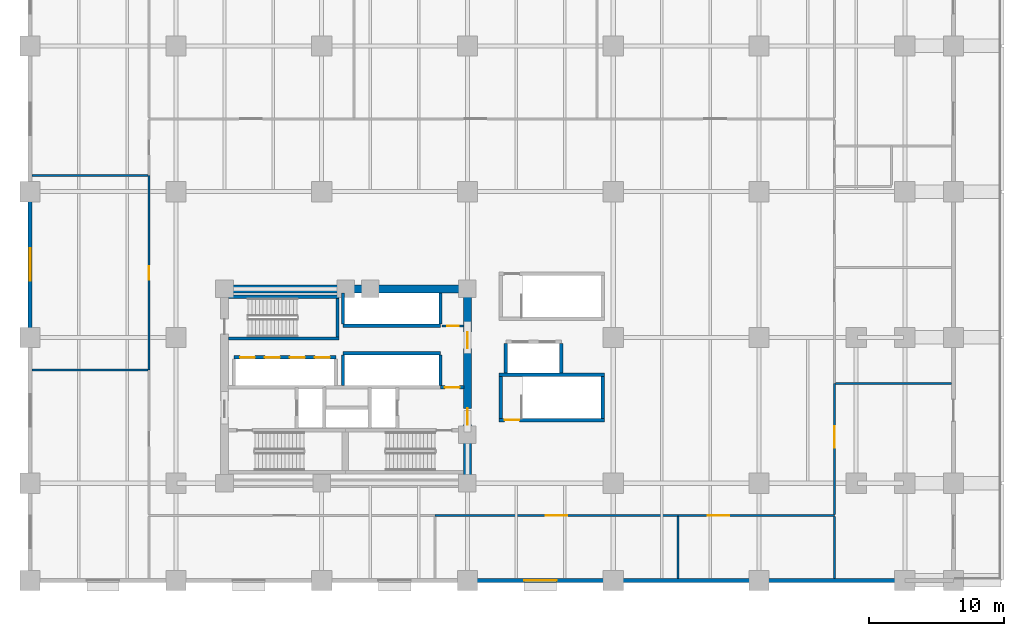
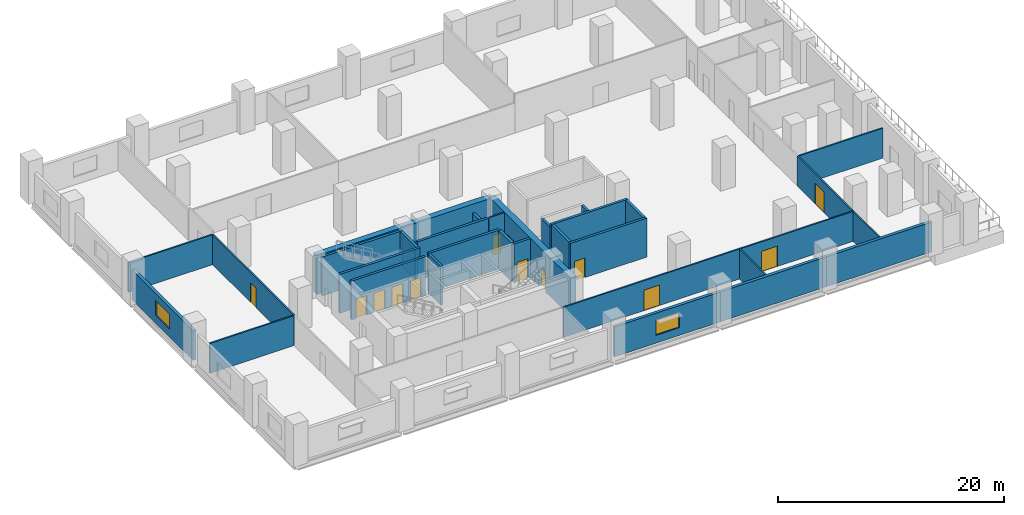
# One storey, part 4 of 8: 33 walls, 13 doors, 2 windows, 15 openings.
"""IFC4 building model written with IfcOpenShell, lengths in metres."""

from ifc_helpers import new_model, si_unit, direction, frame, frame_2d, origin, place, context, subcontext, project, spatial, rectangle, extrude, material, layer, layer_set, type_object, element, fill, save


model = new_model("IFC4")

# Units and contexts
model_context = context("Model", 3, precision=1e-05, world=origin(), true_north=direction((0.0, 1.0)))
body_context = subcontext(model_context, "Body", "Model", "MODEL_VIEW")
ifc_project = project(units=[si_unit("LENGTHUNIT", "METRE"), si_unit("AREAUNIT", "SQUARE_METRE"), si_unit("VOLUMEUNIT", "CUBIC_METRE"), si_unit("PLANEANGLEUNIT", "RADIAN"), si_unit("MASSUNIT", "GRAM", prefix="KILO")], contexts=[model_context])

# Site, building, storey
site_placement = place(None, origin())
site = spatial("IfcSite", under=ifc_project, at=site_placement, CompositionType="ELEMENT")
building_placement = place(site_placement, origin())
building = spatial("IfcBuilding", under=site, at=building_placement, Name="Solnavia Interchange Tower", CompositionType="ELEMENT")
storey_placement = place(building_placement, frame((0.0, 0.0, 19.39990234375)))
storey = spatial("IfcBuildingStorey", under=building, at=storey_placement, Name="L04", CompositionType="ELEMENT", Elevation=19.39990234375)

# Wall, opening, window
ifc_material_1 = material(Name="Concrete C40/50", Category="concrete")
ifc_layer_1 = layer(ifc_material_1, 0.300048828125)
ifc_layer_set_1 = layer_set([ifc_layer_1], Name="Concrete C40/50")
wall_type_1 = type_object("IfcWallType", Name="Wall-ExtSpandrel-300", PredefinedType="STANDARD", material=ifc_layer_set_1)
wall_1_placement = place(storey_placement, frame((43.199951171875, 3.60009765625, 0.0), z_axis=(0.0, 0.0, 1.0), x_axis=(-1.0, 0.0, 0.0)))
wall_1 = element("IfcWall", 1, at=wall_1_placement, inside=storey, type_object=wall_type_1, Name="EXW-L04-S04 South podium wall", PredefinedType="STANDARD", context=body_context, shape_type="SweptSolid", body=[
    extrude(rectangle(XDim=10.800048828125, YDim=0.300048828125, at=frame_2d((5.39990234375, 0.0))), origin(), (0.0, 0.0, 1.0), 3.22998046875),
])
opening_1_placement = place(wall_1_placement, frame((4.199951171875, 0.0, 0.85009765625)))
opening_1 = element("IfcOpeningElement", 2, at=opening_1_placement, cuts=wall_1, Name="Opening WIN-06", PredefinedType="OPENING", context=body_context, shape_type="SweptSolid", body=[
    extrude(rectangle(XDim=2.39990234375, YDim=1.60009765625, at=frame_2d((1.199951171875, 0.800048828125))), frame((0.0, 0.16015625, 0.0), z_axis=(0.0, -1.0, 0.0), x_axis=(1.0, 0.0, 0.0)), (0.0, 0.0, 1.0), 0.320068359375),
])
ifc_material_2 = material(Name="Thermal-Break Aluminium & Low-E Glass", Category="aluminium")
window_type = type_object("IfcWindowType", Name="Window-Podium-2400x1600", PartitioningType="SINGLE_PANEL", PredefinedType="WINDOW", material=ifc_material_2)
window_1_placement = place(opening_1_placement, origin())
window_1 = element("IfcWindow", 3, at=window_1_placement, inside=storey, type_object=window_type, Name="WIN-L04-S04 South podium window", OverallHeight=1.60009765625, OverallWidth=2.39990234375, PartitioningType="SINGLE_PANEL", PredefinedType="WINDOW", context=body_context, shape_type="SweptSolid", body=[
    extrude(rectangle(XDim=2.39990234375, YDim=1.60009765625, at=frame_2d((1.199951171875, 0.800048828125))), frame((0.0, 0.030029296875, 0.0), z_axis=(0.0, -1.0, 0.0), x_axis=(1.0, 0.0, 0.0)), (0.0, 0.0, 1.0), 0.06005859375),
])
fill(opening_1, window_1)

# Walls
for number, where, z_axis, x_axis, name in (
    (4, (54.0, 3.60009765625, 0.0), (0.0, 0.0, 1.0), (-1.0, 0.0, 0.0), "EXW-L04-S05 South podium wall"),
    (5, (64.800048828125, 3.60009765625, 0.0), (0.0, 0.0, 1.0), (-1.0, 0.0, 0.0), "EXW-L04-S06 South podium wall"),
):
    element("IfcWall", number, at=place(storey_placement, frame(where, z_axis=z_axis, x_axis=x_axis)), inside=storey, type_object=wall_type_1, Name=name, PredefinedType="STANDARD", context=body_context, shape_type="SweptSolid", body=[
        extrude(rectangle(XDim=10.800048828125, YDim=0.300048828125, at=frame_2d((5.39990234375, 0.0))), origin(), (0.0, 0.0, 1.0), 3.22998046875),
    ])

# Wall, opening, window
wall_2_placement = place(storey_placement, frame((0.0, 21.60009765625, 0.0), z_axis=(0.0, 0.0, 1.0), x_axis=(0.0, 1.0, 0.0)))
wall_2 = element("IfcWall", 6, at=wall_2_placement, inside=storey, type_object=wall_type_1, Name="EXW-L04-W03 West podium wall", PredefinedType="STANDARD", context=body_context, shape_type="SweptSolid", body=[
    extrude(rectangle(XDim=10.7998046875, YDim=0.300048828125, at=frame_2d((5.39990234375, 0.0))), origin(), (0.0, 0.0, 1.0), 3.22998046875),
])
opening_2_placement = place(wall_2_placement, frame((4.199951171875, 0.0, 0.85009765625)))
opening_2 = element("IfcOpeningElement", 7, at=opening_2_placement, cuts=wall_2, Name="Opening WIN-06", PredefinedType="OPENING", context=body_context, shape_type="SweptSolid", body=[
    extrude(rectangle(XDim=2.39990234375, YDim=1.60009765625, at=frame_2d((1.199951171875, 0.800048828125))), frame((0.0, 0.16015625, 0.0), z_axis=(0.0, -1.0, 0.0), x_axis=(1.0, 0.0, 0.0)), (0.0, 0.0, 1.0), 0.320068359375),
])
window_2_placement = place(opening_2_placement, origin())
window_2 = element("IfcWindow", 8, at=window_2_placement, inside=storey, type_object=window_type, Name="WIN-L04-W03 West podium window", OverallHeight=1.60009765625, OverallWidth=2.39990234375, PartitioningType="SINGLE_PANEL", PredefinedType="WINDOW", context=body_context, shape_type="SweptSolid", body=[
    extrude(rectangle(XDim=2.39990234375, YDim=1.60009765625, at=frame_2d((1.199951171875, 0.800048828125))), frame((0.0, 0.030029296875, 0.0), z_axis=(0.0, -1.0, 0.0), x_axis=(1.0, 0.0, 0.0)), (0.0, 0.0, 1.0), 0.06005859375),
])
fill(opening_2, window_2)

# Wall, opening, door
ifc_material_3 = material(Name="Gypsum Plasterboard & Steel Stud", Category="steel")
ifc_layer_2 = layer(ifc_material_3, 0.14990234375)
ifc_layer_set_2 = layer_set([ifc_layer_2], Name="Gypsum Plasterboard & Steel Stud")
wall_type_2 = type_object("IfcWallType", Name="Wall-Partition-150", PredefinedType="PARTITIONING", material=ifc_layer_set_2)
wall_3_placement = place(storey_placement, frame((30.52001953125, 22.4599609375, 0.0), z_axis=(0.0, 0.0, 1.0), x_axis=(1.0, 0.0, 0.0)))
wall_3 = element("IfcWall", 9, at=wall_3_placement, inside=storey, type_object=wall_type_2, Name="CSW-L04-NE-S Core shaft wall", PredefinedType="PARTITIONING", context=body_context, shape_type="SweptSolid", body=[
    extrude(rectangle(XDim=1.6298828125, YDim=0.14990234375, at=frame_2d((0.81494140625, 0.0))), origin(), (0.0, 0.0, 1.0), 4.18505859375),
])
opening_3_placement = place(wall_3_placement, frame((0.3798828125, 0.0, 0.0)))
opening_3 = element("IfcOpeningElement", 10, at=opening_3_placement, cuts=wall_3, Name="Opening DR-10", PredefinedType="OPENING", context=body_context, shape_type="SweptSolid", body=[
    extrude(rectangle(XDim=0.85009765625, YDim=2.10009765625, at=frame_2d((0.425048828125, 1.050048828125))), frame((0.0, 0.0849609375, 0.0), z_axis=(0.0, -1.0, 0.0), x_axis=(1.0, 0.0, 0.0)), (0.0, 0.0, 1.0), 0.169921875),
])
ifc_material_4 = material(Name="Moisture-Resistant Timber Door", Category="wood")
door_type_1 = type_object("IfcDoorType", Name="Door-Bathroom-850x2100", OperationType="SINGLE_SWING_RIGHT", PredefinedType="DOOR", material=ifc_material_4)
door_1_placement = place(opening_3_placement, origin())
door_1 = element("IfcDoor", 11, at=door_1_placement, inside=storey, type_object=door_type_1, Name="DR-L04-CNE1 Core fire door", OperationType="SINGLE_SWING_RIGHT", OverallHeight=2.10009765625, OverallWidth=0.85009765625, PredefinedType="DOOR", context=body_context, shape_type="SweptSolid", body=[
    extrude(rectangle(XDim=0.85009765625, YDim=2.10009765625, at=frame_2d((0.425048828125, 1.050048828125))), frame((0.0, 0.02490234375, 0.0), z_axis=(0.0, -1.0, 0.0), x_axis=(1.0, 0.0, 0.0)), (0.0, 0.0, 1.0), 0.050048828125),
])
fill(opening_3, door_1)

wall_4_placement = place(storey_placement, frame((30.0, 8.39990234375, 0.0), z_axis=(0.0, 0.0, 1.0), x_axis=(1.0, 0.0, 0.0)))
wall_4 = element("IfcWall", 12, at=wall_4_placement, inside=storey, type_object=wall_type_2, Name="PTW-L04-03 Interior partition wall", PredefinedType="PARTITIONING", context=body_context, shape_type="SweptSolid", body=[
    extrude(rectangle(XDim=18.0, YDim=0.14990234375, at=frame_2d((9.0, 0.0))), origin(), (0.0, 0.0, 1.0), 3.22998046875),
])
opening_4_placement = place(wall_4_placement, frame((8.199951171875, 0.0, 0.0)))
opening_4 = element("IfcOpeningElement", 13, at=opening_4_placement, cuts=wall_4, Name="Opening DR-08", PredefinedType="OPENING", context=body_context, shape_type="SweptSolid", body=[
    extrude(rectangle(XDim=1.60009765625, YDim=2.199951171875, at=frame_2d((0.800048828125, 1.10009765625))), frame((0.0, 0.0849609375, 0.0), z_axis=(0.0, -1.0, 0.0), x_axis=(1.0, 0.0, 0.0)), (0.0, 0.0, 1.0), 0.169921875),
])
ifc_material_5 = material(Name="Thermally Broken Aluminium & Toughened Glass", Category="aluminium")
door_type_2 = type_object("IfcDoorType", Name="Door-RetailDouble-1600x2200", OperationType="DOUBLE_DOOR_SINGLE_SWING", PredefinedType="DOOR", material=ifc_material_5)
door_2_placement = place(opening_4_placement, origin())
door_2 = element("IfcDoor", 14, at=door_2_placement, inside=storey, type_object=door_type_2, Name="DR-L04-02 Interior room door", OperationType="DOUBLE_DOOR_SINGLE_SWING", OverallHeight=2.199951171875, OverallWidth=1.60009765625, PredefinedType="DOOR", context=body_context, shape_type="SweptSolid", body=[
    extrude(rectangle(XDim=1.60009765625, YDim=2.199951171875, at=frame_2d((0.800048828125, 1.10009765625))), frame((0.0, 0.02490234375, 0.0), z_axis=(0.0, -1.0, 0.0), x_axis=(1.0, 0.0, 0.0)), (0.0, 0.0, 1.0), 0.050048828125),
])
fill(opening_4, door_2)

# Wall
wall_5_placement = place(storey_placement, frame((48.0, 3.75390625, 0.0), z_axis=(0.0, 0.0, 1.0), x_axis=(0.0, 1.0, 0.0)))
element("IfcWall", 15, at=wall_5_placement, inside=storey, type_object=wall_type_2, Name="PTW-L04-04 Interior partition wall", PredefinedType="PARTITIONING", context=body_context, shape_type="SweptSolid", body=[
    extrude(rectangle(XDim=4.567138671875, YDim=0.14990234375, at=frame_2d((2.28369140625, 0.0))), origin(), (0.0, 0.0, 1.0), 3.22998046875),
])

# Wall, opening, door
wall_6_placement = place(storey_placement, frame((48.0, 8.39990234375, 0.0), z_axis=(0.0, 0.0, 1.0), x_axis=(1.0, 0.0, 0.0)))
wall_6 = element("IfcWall", 16, at=wall_6_placement, inside=storey, type_object=wall_type_2, Name="PTW-L04-05 Interior partition wall", PredefinedType="PARTITIONING", context=body_context, shape_type="SweptSolid", body=[
    extrude(rectangle(XDim=11.60009765625, YDim=0.14990234375, at=frame_2d((5.800048828125, 0.0))), origin(), (0.0, 0.0, 1.0), 3.22998046875),
])
opening_5_placement = place(wall_6_placement, frame((2.2119140625, 0.0, 0.0)))
opening_5 = element("IfcOpeningElement", 17, at=opening_5_placement, cuts=wall_6, Name="Opening DR-08", PredefinedType="OPENING", context=body_context, shape_type="SweptSolid", body=[
    extrude(rectangle(XDim=1.60009765625, YDim=2.199951171875, at=frame_2d((0.800048828125, 1.10009765625))), frame((0.0, 0.0849609375, 0.0), z_axis=(0.0, -1.0, 0.0), x_axis=(1.0, 0.0, 0.0)), (0.0, 0.0, 1.0), 0.169921875),
])
door_3_placement = place(opening_5_placement, origin())
door_3 = element("IfcDoor", 18, at=door_3_placement, inside=storey, type_object=door_type_2, Name="DR-L04-03 Interior room door", OperationType="DOUBLE_DOOR_SINGLE_SWING", OverallHeight=2.199951171875, OverallWidth=1.60009765625, PredefinedType="DOOR", context=body_context, shape_type="SweptSolid", body=[
    extrude(rectangle(XDim=1.60009765625, YDim=2.199951171875, at=frame_2d((0.800048828125, 1.10009765625))), frame((0.0, 0.02490234375, 0.0), z_axis=(0.0, -1.0, 0.0), x_axis=(1.0, 0.0, 0.0)), (0.0, 0.0, 1.0), 0.050048828125),
])
fill(opening_5, door_3)

# Wall
wall_7_placement = place(storey_placement, frame((0.154052734375, 19.199951171875, 0.0), z_axis=(0.0, 0.0, 1.0), x_axis=(1.0, 0.0, 0.0)))
element("IfcWall", 19, at=wall_7_placement, inside=storey, type_object=wall_type_2, Name="PTW-L04-13 Interior partition wall", PredefinedType="PARTITIONING", context=body_context, shape_type="SweptSolid", body=[
    extrude(rectangle(XDim=8.56689453125, YDim=0.14990234375, at=frame_2d((4.283447265625, 0.0))), origin(), (0.0, 0.0, 1.0), 3.22998046875),
])

# Wall, opening, door
wall_8_placement = place(storey_placement, frame((8.800048828125, 19.199951171875, 0.0), z_axis=(0.0, 0.0, 1.0), x_axis=(0.0, 1.0, 0.0)))
wall_8 = element("IfcWall", 20, at=wall_8_placement, inside=storey, type_object=wall_type_2, Name="PTW-L04-14 Interior partition wall", PredefinedType="PARTITIONING", context=body_context, shape_type="SweptSolid", body=[
    extrude(rectangle(XDim=14.400146484375, YDim=0.14990234375, at=frame_2d((7.2001953125, 0.0))), origin(), (0.0, 0.0, 1.0), 3.22998046875),
])
opening_6_placement = place(wall_8_placement, frame((6.659912109375, 0.0, 0.0)))
opening_6 = element("IfcOpeningElement", 21, at=opening_6_placement, cuts=wall_8, Name="Opening DR-07", PredefinedType="OPENING", context=body_context, shape_type="SweptSolid", body=[
    extrude(rectangle(XDim=1.0, YDim=2.10009765625, at=frame_2d((0.5, 1.050048828125))), frame((0.0, 0.0849609375, 0.0), z_axis=(0.0, -1.0, 0.0), x_axis=(1.0, 0.0, 0.0)), (0.0, 0.0, 1.0), 0.169921875),
])
ifc_material_6 = material(Name="Timber & Acoustic Glazed Office Door", Category="wood")
door_type_3 = type_object("IfcDoorType", Name="Door-Office-1000x2100", OperationType="SINGLE_SWING_RIGHT", PredefinedType="DOOR", material=ifc_material_6)
door_4_placement = place(opening_6_placement, origin())
door_4 = element("IfcDoor", 22, at=door_4_placement, inside=storey, type_object=door_type_3, Name="DR-L04-08 Interior room door", OperationType="SINGLE_SWING_RIGHT", OverallHeight=2.10009765625, OverallWidth=1.0, PredefinedType="DOOR", context=body_context, shape_type="SweptSolid", body=[
    extrude(rectangle(XDim=1.0, YDim=2.10009765625, at=frame_2d((0.5, 1.050048828125))), frame((0.0, 0.02490234375, 0.0), z_axis=(0.0, -1.0, 0.0), x_axis=(1.0, 0.0, 0.0)), (0.0, 0.0, 1.0), 0.050048828125),
])
fill(opening_6, door_4)

# Walls
wall_9_placement = place(storey_placement, frame((0.154052734375, 33.60009765625, 0.0), z_axis=(0.0, 0.0, 1.0), x_axis=(1.0, 0.0, 0.0)))
element("IfcWall", 23, at=wall_9_placement, inside=storey, type_object=wall_type_2, Name="PTW-L04-15 Interior partition wall", PredefinedType="PARTITIONING", context=body_context, shape_type="SweptSolid", body=[
    extrude(rectangle(XDim=8.56689453125, YDim=0.14990234375, at=frame_2d((4.283447265625, 0.0))), origin(), (0.0, 0.0, 1.0), 3.22998046875),
])
wall_10_placement = place(storey_placement, frame((59.60009765625, 3.75390625, 0.0), z_axis=(0.0, 0.0, 1.0), x_axis=(0.0, 1.0, 0.0)))
element("IfcWall", 24, at=wall_10_placement, inside=storey, type_object=wall_type_2, Name="PTW-L04-18 Interior partition wall", PredefinedType="PARTITIONING", context=body_context, shape_type="SweptSolid", body=[
    extrude(rectangle(XDim=4.567138671875, YDim=0.14990234375, at=frame_2d((2.28369140625, 0.0))), origin(), (0.0, 0.0, 1.0), 3.22998046875),
])

# Wall, opening, door
wall_11_placement = place(storey_placement, frame((59.60009765625, 8.47900390625, 0.0), z_axis=(0.0, 0.0, 1.0), x_axis=(0.0, 1.0, 0.0)))
wall_11 = element("IfcWall", 25, at=wall_11_placement, inside=storey, type_object=wall_type_2, Name="PTW-L04-19 Interior partition wall", PredefinedType="PARTITIONING", context=body_context, shape_type="SweptSolid", body=[
    extrude(rectangle(XDim=9.720947265625, YDim=0.14990234375, at=frame_2d((4.8603515625, 0.0))), origin(), (0.0, 0.0, 1.0), 3.22998046875),
])
opening_7_placement = place(wall_11_placement, frame((4.94091796875, 0.0, 0.0)))
opening_7 = element("IfcOpeningElement", 26, at=opening_7_placement, cuts=wall_11, Name="Opening DR-08", PredefinedType="OPENING", context=body_context, shape_type="SweptSolid", body=[
    extrude(rectangle(XDim=1.60009765625, YDim=2.199951171875, at=frame_2d((0.800048828125, 1.10009765625))), frame((0.0, 0.0849609375, 0.0), z_axis=(0.0, -1.0, 0.0), x_axis=(1.0, 0.0, 0.0)), (0.0, 0.0, 1.0), 0.169921875),
])
door_5_placement = place(opening_7_placement, origin())
door_5 = element("IfcDoor", 27, at=door_5_placement, inside=storey, type_object=door_type_2, Name="DR-L04-10 Interior room door", OperationType="DOUBLE_DOOR_SINGLE_SWING", OverallHeight=2.199951171875, OverallWidth=1.60009765625, PredefinedType="DOOR", context=body_context, shape_type="SweptSolid", body=[
    extrude(rectangle(XDim=1.60009765625, YDim=2.199951171875, at=frame_2d((0.800048828125, 1.10009765625))), frame((0.0, 0.02490234375, 0.0), z_axis=(0.0, -1.0, 0.0), x_axis=(1.0, 0.0, 0.0)), (0.0, 0.0, 1.0), 0.050048828125),
])
fill(opening_7, door_5)

# Walls
wall_12_placement = place(storey_placement, frame((59.678955078125, 18.199951171875, 0.0), z_axis=(0.0, 0.0, 1.0), x_axis=(1.0, 0.0, 0.0)))
element("IfcWall", 28, at=wall_12_placement, inside=storey, type_object=wall_type_2, Name="PTW-L04-20 Interior partition wall", PredefinedType="PARTITIONING", context=body_context, shape_type="SweptSolid", body=[
    extrude(rectangle(XDim=8.567138671875, YDim=0.14990234375, at=frame_2d((4.28369140625, 0.0))), origin(), (0.0, 0.0, 1.0), 3.22998046875),
])
ifc_layer_3 = layer(ifc_material_1, 0.25)
ifc_layer_set_3 = layer_set([ifc_layer_3], Name="Concrete C40/50")
wall_type_3 = type_object("IfcWallType", Name="Wall-ShaftCore-250", PredefinedType="SHEAR", material=ifc_layer_set_3)
for number, where, z_axis, x_axis, name in (
    (29, (14.699951171875, 21.52490234375, 0.0), (0.0, 0.0, 1.0), (1.0, 0.0, 0.0), "SHW-L04-ST3S Core shear wall"),
    (30, (14.699951171875, 24.614990234375, 0.0), (0.0, 0.0, 1.0), (1.0, 0.0, 0.0), "SHW-L04-ST3N Core shear wall"),
):
    element("IfcWall", number, at=place(storey_placement, frame(where, z_axis=z_axis, x_axis=x_axis)), inside=storey, type_object=wall_type_3, Name=name, PredefinedType="SHEAR", context=body_context, shape_type="SweptSolid", body=[
        extrude(rectangle(XDim=8.199951171875, YDim=0.25, at=frame_2d((4.10009765625, 0.0))), origin(), (0.0, 0.0, 1.0), 4.2001953125),
    ])
wall_13_placement = place(storey_placement, frame((22.77490234375, 21.64990234375, 0.0), z_axis=(0.0, 0.0, 1.0), x_axis=(0.0, 1.0, 0.0)))
element("IfcWall", 31, at=wall_13_placement, inside=storey, type_object=wall_type_3, Name="SHW-L04-ST3E Core shear wall", PredefinedType="SHEAR", context=body_context, shape_type="SweptSolid", body=[
    extrude(rectangle(XDim=2.840087890625, YDim=0.25, at=frame_2d((1.419921875, 0.0))), origin(), (0.0, 0.0, 1.0), 4.2001953125),
])

# Wall, opening, door
wall_14_placement = place(storey_placement, frame((34.75, 15.47509765625, 0.0), z_axis=(0.0, 0.0, 1.0), x_axis=(1.0, 0.0, 0.0)))
wall_14 = element("IfcWall", 32, at=wall_14_placement, inside=storey, type_object=wall_type_3, Name="SHW-L04-STP1S Core shear wall", PredefinedType="SHEAR", context=body_context, shape_type="SweptSolid", body=[
    extrude(rectangle(XDim=7.800048828125, YDim=0.25, at=frame_2d((3.89990234375, 0.0))), origin(), (0.0, 0.0, 1.0), 4.2001953125),
])
opening_8_placement = place(wall_14_placement, frame((0.405029296875, 0.0, 0.0)))
opening_8 = element("IfcOpeningElement", 33, at=opening_8_placement, cuts=wall_14, Name="Opening DR-01", PredefinedType="OPENING", context=body_context, shape_type="SweptSolid", body=[
    extrude(rectangle(XDim=1.10009765625, YDim=2.10009765625, at=frame_2d((0.550048828125, 1.050048828125))), frame((0.0, 0.135009765625, 0.0), z_axis=(0.0, -1.0, 0.0), x_axis=(1.0, 0.0, 0.0)), (0.0, 0.0, 1.0), 0.27001953125),
])
ifc_material_7 = material(Name="Steel Fire-Rated Leaf & Frame", Category="steel")
door_type_4 = type_object("IfcDoorType", Name="Door-StairFire-1100x2100", OperationType="SINGLE_SWING_LEFT", PredefinedType="DOOR", material=ifc_material_7)
door_6_placement = place(opening_8_placement, origin())
door_6 = element("IfcDoor", 34, at=door_6_placement, inside=storey, type_object=door_type_4, Name="DR-L04-STP1 Core fire door", OperationType="SINGLE_SWING_LEFT", OverallHeight=2.10009765625, OverallWidth=1.10009765625, PredefinedType="DOOR", context=body_context, shape_type="SweptSolid", body=[
    extrude(rectangle(XDim=1.10009765625, YDim=2.10009765625, at=frame_2d((0.550048828125, 1.050048828125))), frame((0.0, 0.02490234375, 0.0), z_axis=(0.0, -1.0, 0.0), x_axis=(1.0, 0.0, 0.0)), (0.0, 0.0, 1.0), 0.050048828125),
])
fill(opening_8, door_6)

# Walls
wall_15_placement = place(storey_placement, frame((34.75, 18.824951171875, 0.0), z_axis=(0.0, 0.0, 1.0), x_axis=(1.0, 0.0, 0.0)))
element("IfcWall", 35, at=wall_15_placement, inside=storey, type_object=wall_type_3, Name="SHW-L04-STP1N Core shear wall", PredefinedType="SHEAR", context=body_context, shape_type="SweptSolid", body=[
    extrude(rectangle(XDim=7.800048828125, YDim=0.25, at=frame_2d((3.89990234375, 0.0))), origin(), (0.0, 0.0, 1.0), 4.2001953125),
])
for number, where, z_axis, x_axis, name in (
    (36, (34.875, 15.60009765625, 0.0), (0.0, 0.0, 1.0), (0.0, 1.0, 0.0), "SHW-L04-STP1W Core shear wall"),
    (37, (42.425048828125, 15.60009765625, 0.0), (0.0, 0.0, 1.0), (0.0, 1.0, 0.0), "SHW-L04-STP1E Core shear wall"),
):
    element("IfcWall", number, at=place(storey_placement, frame(where, z_axis=z_axis, x_axis=x_axis)), inside=storey, type_object=wall_type_3, Name=name, PredefinedType="SHEAR", context=body_context, shape_type="SweptSolid", body=[
        extrude(rectangle(XDim=3.099853515625, YDim=0.25, at=frame_2d((1.5498046875, 0.0))), origin(), (0.0, 0.0, 1.0), 4.2001953125),
    ])

# Wall, opening, door
ifc_layer_4 = layer(ifc_material_1, 0.25)
ifc_layer_set_4 = layer_set([ifc_layer_4], Name="Concrete C40/50")
wall_type_4 = type_object("IfcWallType", Name="Wall-ShaftPart-250", PredefinedType="PARTITIONING", material=ifc_layer_set_4)
wall_16_placement = place(storey_placement, frame((30.39990234375, 17.89990234375, 0.0), z_axis=(0.0, 0.0, 1.0), x_axis=(1.0, 0.0, 0.0)))
wall_16 = element("IfcWall", 38, at=wall_16_placement, inside=storey, type_object=wall_type_4, Name="SHW-L04-FFLE-N2 Core shaft wall", PredefinedType="PARTITIONING", context=body_context, shape_type="SweptSolid", body=[
    extrude(rectangle(XDim=1.75, YDim=0.25, at=frame_2d((0.875, 0.0))), origin(), (0.0, 0.0, 1.0), 4.18505859375),
])
opening_9_placement = place(wall_16_placement, frame((0.320068359375, 0.0, 0.0)))
opening_9 = element("IfcOpeningElement", 39, at=opening_9_placement, cuts=wall_16, Name="Opening DR-01", PredefinedType="OPENING", context=body_context, shape_type="SweptSolid", body=[
    extrude(rectangle(XDim=1.10009765625, YDim=2.10009765625, at=frame_2d((0.550048828125, 1.050048828125))), frame((0.0, 0.135009765625, 0.0), z_axis=(0.0, -1.0, 0.0), x_axis=(1.0, 0.0, 0.0)), (0.0, 0.0, 1.0), 0.27001953125),
])
door_7_placement = place(opening_9_placement, origin())
door_7 = element("IfcDoor", 40, at=door_7_placement, inside=storey, type_object=door_type_4, Name="DR-L04-LLC Core fire door", OperationType="SINGLE_SWING_LEFT", OverallHeight=2.10009765625, OverallWidth=1.10009765625, PredefinedType="DOOR", context=body_context, shape_type="SweptSolid", body=[
    extrude(rectangle(XDim=1.10009765625, YDim=2.10009765625, at=frame_2d((0.550048828125, 1.050048828125))), frame((0.0, 0.02490234375, 0.0), z_axis=(0.0, -1.0, 0.0), x_axis=(1.0, 0.0, 0.0)), (0.0, 0.0, 1.0), 0.050048828125),
])
fill(opening_9, door_7)

# Wall, openings, doors
wall_17_placement = place(storey_placement, frame((15.10009765625, 20.125, 0.0), z_axis=(0.0, 0.0, 1.0), x_axis=(1.0, 0.0, 0.0)))
wall_17 = element("IfcWall", 41, at=wall_17_placement, inside=storey, type_object=wall_type_4, Name="SHW-L04-B1N Core shaft wall", PredefinedType="PARTITIONING", context=body_context, shape_type="SweptSolid", body=[
    extrude(rectangle(XDim=7.5498046875, YDim=0.25, at=frame_2d((3.77490234375, 0.0))), origin(), (0.0, 0.0, 1.0), 4.18505859375),
])
opening_10_placement = place(wall_17_placement, frame((0.449951171875, 0.0, 0.0)))
opening_10 = element("IfcOpeningElement", 42, at=opening_10_placement, cuts=wall_17, Name="Opening LD-01", PredefinedType="OPENING", context=body_context, shape_type="SweptSolid", body=[
    extrude(rectangle(XDim=1.10009765625, YDim=2.10009765625, at=frame_2d((0.550048828125, 1.050048828125))), frame((0.0, 0.135009765625, 0.0), z_axis=(0.0, -1.0, 0.0), x_axis=(1.0, 0.0, 0.0)), (0.0, 0.0, 1.0), 0.27001953125),
])
opening_11_placement = place(wall_17_placement, frame((2.300048828125, 0.0, 0.0)))
opening_11 = element("IfcOpeningElement", 43, at=opening_11_placement, cuts=wall_17, Name="Opening LD-01", PredefinedType="OPENING", context=body_context, shape_type="SweptSolid", body=[
    extrude(rectangle(XDim=1.10009765625, YDim=2.10009765625, at=frame_2d((0.550048828125, 1.050048828125))), frame((0.0, 0.135009765625, 0.0), z_axis=(0.0, -1.0, 0.0), x_axis=(1.0, 0.0, 0.0)), (0.0, 0.0, 1.0), 0.27001953125),
])
opening_12_placement = place(wall_17_placement, frame((4.14990234375, 0.0, 0.0)))
opening_12 = element("IfcOpeningElement", 44, at=opening_12_placement, cuts=wall_17, Name="Opening LD-01", PredefinedType="OPENING", context=body_context, shape_type="SweptSolid", body=[
    extrude(rectangle(XDim=1.10009765625, YDim=2.10009765625, at=frame_2d((0.550048828125, 1.050048828125))), frame((0.0, 0.135009765625, 0.0), z_axis=(0.0, -1.0, 0.0), x_axis=(1.0, 0.0, 0.0)), (0.0, 0.0, 1.0), 0.27001953125),
])
opening_13_placement = place(wall_17_placement, frame((6.0, 0.0, 0.0)))
opening_13 = element("IfcOpeningElement", 45, at=opening_13_placement, cuts=wall_17, Name="Opening LD-01", PredefinedType="OPENING", context=body_context, shape_type="SweptSolid", body=[
    extrude(rectangle(XDim=1.10009765625, YDim=2.10009765625, at=frame_2d((0.550048828125, 1.050048828125))), frame((0.0, 0.135009765625, 0.0), z_axis=(0.0, -1.0, 0.0), x_axis=(1.0, 0.0, 0.0)), (0.0, 0.0, 1.0), 0.27001953125),
])
ifc_material_8 = material(Name="Brushed Stainless Steel Sliding Door", Category="steel")
door_type_5 = type_object("IfcDoorType", Name="Door-LiftLanding-1100x2100", OperationType="SLIDING_TO_LEFT", PredefinedType="DOOR", material=ifc_material_8)
door_8_placement = place(opening_10_placement, origin())
door_8 = element("IfcDoor", 46, at=door_8_placement, inside=storey, type_object=door_type_5, Name="LD-L04-B1-1 Lift landing sliding door", OperationType="SLIDING_TO_LEFT", OverallHeight=2.10009765625, OverallWidth=1.10009765625, PredefinedType="DOOR", context=body_context, shape_type="SweptSolid", body=[
    extrude(rectangle(XDim=1.10009765625, YDim=2.10009765625, at=frame_2d((0.550048828125, 1.050048828125))), frame((0.0, 0.02490234375, 0.0), z_axis=(0.0, -1.0, 0.0), x_axis=(1.0, 0.0, 0.0)), (0.0, 0.0, 1.0), 0.050048828125),
])
fill(opening_10, door_8)
door_9_placement = place(opening_11_placement, origin())
door_9 = element("IfcDoor", 47, at=door_9_placement, inside=storey, type_object=door_type_5, Name="LD-L04-B1-2 Lift landing sliding door", OperationType="SLIDING_TO_LEFT", OverallHeight=2.10009765625, OverallWidth=1.10009765625, PredefinedType="DOOR", context=body_context, shape_type="SweptSolid", body=[
    extrude(rectangle(XDim=1.10009765625, YDim=2.10009765625, at=frame_2d((0.550048828125, 1.050048828125))), frame((0.0, 0.02490234375, 0.0), z_axis=(0.0, -1.0, 0.0), x_axis=(1.0, 0.0, 0.0)), (0.0, 0.0, 1.0), 0.050048828125),
])
fill(opening_11, door_9)
door_10_placement = place(opening_12_placement, origin())
door_10 = element("IfcDoor", 48, at=door_10_placement, inside=storey, type_object=door_type_5, Name="LD-L04-B1-3 Lift landing sliding door", OperationType="SLIDING_TO_LEFT", OverallHeight=2.10009765625, OverallWidth=1.10009765625, PredefinedType="DOOR", context=body_context, shape_type="SweptSolid", body=[
    extrude(rectangle(XDim=1.10009765625, YDim=2.10009765625, at=frame_2d((0.550048828125, 1.050048828125))), frame((0.0, 0.02490234375, 0.0), z_axis=(0.0, -1.0, 0.0), x_axis=(1.0, 0.0, 0.0)), (0.0, 0.0, 1.0), 0.050048828125),
])
fill(opening_12, door_10)
door_11_placement = place(opening_13_placement, origin())
door_11 = element("IfcDoor", 49, at=door_11_placement, inside=storey, type_object=door_type_5, Name="LD-L04-B1-4 Lift landing sliding door", OperationType="SLIDING_TO_LEFT", OverallHeight=2.10009765625, OverallWidth=1.10009765625, PredefinedType="DOOR", context=body_context, shape_type="SweptSolid", body=[
    extrude(rectangle(XDim=1.10009765625, YDim=2.10009765625, at=frame_2d((0.550048828125, 1.050048828125))), frame((0.0, 0.02490234375, 0.0), z_axis=(0.0, -1.0, 0.0), x_axis=(1.0, 0.0, 0.0)), (0.0, 0.0, 1.0), 0.050048828125),
])
fill(opening_13, door_11)

# Walls
wall_18_placement = place(storey_placement, frame((23.179931640625, 20.419921875, 0.0), z_axis=(0.0, 0.0, 1.0), x_axis=(1.0, 0.0, 0.0)))
element("IfcWall", 50, at=wall_18_placement, inside=storey, type_object=wall_type_4, Name="SHW-L04-B2N Core shaft wall", PredefinedType="PARTITIONING", context=body_context, shape_type="SweptSolid", body=[
    extrude(rectangle(XDim=7.219970703125, YDim=0.25, at=frame_2d((3.60986328125, 0.0))), origin(), (0.0, 0.0, 1.0), 4.18505859375),
])
for number, where, z_axis, x_axis, name in (
    (51, (23.179931640625, 18.02490234375, 0.0), (0.0, 0.0, 1.0), (0.0, 1.0, 0.0), "SHW-L04-B2W Core shaft wall"),
    (52, (30.39990234375, 18.02490234375, 0.0), (0.0, 0.0, 1.0), (0.0, 1.0, 0.0), "SHW-L04-B2E Core shaft wall"),
):
    element("IfcWall", number, at=place(storey_placement, frame(where, z_axis=z_axis, x_axis=x_axis)), inside=storey, type_object=wall_type_4, Name=name, PredefinedType="PARTITIONING", context=body_context, shape_type="SweptSolid", body=[
        extrude(rectangle(XDim=2.27001953125, YDim=0.25, at=frame_2d((1.135009765625, 0.0))), origin(), (0.0, 0.0, 1.0), 4.18505859375),
    ])
wall_19_placement = place(storey_placement, frame((23.179931640625, 22.4599609375, 0.0), z_axis=(0.0, 0.0, 1.0), x_axis=(1.0, 0.0, 0.0)))
element("IfcWall", 53, at=wall_19_placement, inside=storey, type_object=wall_type_4, Name="SHW-L04-B3S Core shaft wall", PredefinedType="PARTITIONING", context=body_context, shape_type="SweptSolid", body=[
    extrude(rectangle(XDim=7.219970703125, YDim=0.25, at=frame_2d((3.60986328125, 0.0))), origin(), (0.0, 0.0, 1.0), 4.18505859375),
])
for number, where, z_axis, x_axis, name in (
    (54, (23.179931640625, 22.5849609375, 0.0), (0.0, 0.0, 1.0), (0.0, 1.0, 0.0), "SHW-L04-B3W Core shaft wall"),
    (55, (30.39990234375, 22.5849609375, 0.0), (0.0, 0.0, 1.0), (0.0, 1.0, 0.0), "SHW-L04-B3E Core shaft wall"),
):
    element("IfcWall", number, at=place(storey_placement, frame(where, z_axis=z_axis, x_axis=x_axis)), inside=storey, type_object=wall_type_4, Name=name, PredefinedType="PARTITIONING", context=body_context, shape_type="SweptSolid", body=[
        extrude(rectangle(XDim=2.31494140625, YDim=0.25, at=frame_2d((1.157470703125, 0.0))), origin(), (0.0, 0.0, 1.0), 3.22998046875),
    ])
for number, where, z_axis, x_axis, name in (
    (56, (35.25, 18.949951171875, 0.0), (0.0, 0.0, 1.0), (0.0, 1.0, 0.0), "SHW-L04-PLW Core shaft wall"),
    (57, (39.35009765625, 18.949951171875, 0.0), (0.0, 0.0, 1.0), (0.0, 1.0, 0.0), "SHW-L04-PLE Core shaft wall"),
):
    element("IfcWall", number, at=place(storey_placement, frame(where, z_axis=z_axis, x_axis=x_axis)), inside=storey, type_object=wall_type_4, Name=name, PredefinedType="PARTITIONING", context=body_context, shape_type="SweptSolid", body=[
        extrude(rectangle(XDim=2.205078125, YDim=0.25, at=frame_2d((1.1025390625, 0.0))), origin(), (0.0, 0.0, 1.0), 3.22998046875),
    ])
ifc_material_9 = material(Name="Concrete C60/75", Category="concrete")
ifc_layer_5 = layer(ifc_material_9, 0.60009765625)
ifc_layer_set_5 = layer_set([ifc_layer_5], Name="Concrete C60/75")
wall_type_5 = type_object("IfcWallType", Name="Wall-ShearCore-600", PredefinedType="SHEAR", material=ifc_layer_set_5)
wall_20_placement = place(storey_placement, frame((14.39990234375, 25.199951171875, 0.0), z_axis=(0.0, 0.0, 1.0), x_axis=(1.0, 0.0, 0.0)))
element("IfcWall", 58, at=wall_20_placement, inside=storey, type_object=wall_type_5, Name="CRW-L04-N Core shear wall", PredefinedType="SHEAR", context=body_context, shape_type="SweptSolid", body=[
    extrude(rectangle(XDim=18.0, YDim=0.60009765625, at=frame_2d((9.0, 0.0))), origin(), (0.0, 0.0, 1.0), 4.2001953125),
])

# Wall, openings, doors
wall_21_placement = place(storey_placement, frame((32.39990234375, 10.800048828125, 0.0), z_axis=(0.0, 0.0, 1.0), x_axis=(0.0, 1.0, 0.0)))
wall_21 = element("IfcWall", 59, at=wall_21_placement, inside=storey, type_object=wall_type_5, Name="CRW-L04-E Core shear wall", PredefinedType="SHEAR", context=body_context, shape_type="SweptSolid", body=[
    extrude(rectangle(XDim=14.39990234375, YDim=0.60009765625, at=frame_2d((7.199951171875, 0.0))), origin(), (0.0, 0.0, 1.0), 4.2001953125),
])
opening_14_placement = place(wall_21_placement, frame((4.35009765625, 0.0, 0.0)))
opening_14 = element("IfcOpeningElement", 60, at=opening_14_placement, cuts=wall_21, Name="Opening DR-02", PredefinedType="OPENING", context=body_context, shape_type="SweptSolid", body=[
    extrude(rectangle(XDim=1.199951171875, YDim=2.10009765625, at=frame_2d((0.60009765625, 1.050048828125))), frame((0.0, 0.31005859375, 0.0), z_axis=(0.0, -1.0, 0.0), x_axis=(1.0, 0.0, 0.0)), (0.0, 0.0, 1.0), 0.6201171875),
])
opening_15_placement = place(wall_21_placement, frame((10.0, 0.0, 0.0)))
opening_15 = element("IfcOpeningElement", 61, at=opening_15_placement, cuts=wall_21, Name="Opening DR-02", PredefinedType="OPENING", context=body_context, shape_type="SweptSolid", body=[
    extrude(rectangle(XDim=1.199951171875, YDim=2.10009765625, at=frame_2d((0.60009765625, 1.050048828125))), frame((0.0, 0.31005859375, 0.0), z_axis=(0.0, -1.0, 0.0), x_axis=(1.0, 0.0, 0.0)), (0.0, 0.0, 1.0), 0.6201171875),
])
ifc_material_10 = material(Name="Steel Fire-Rated Vision-Panel Door", Category="steel")
door_type_6 = type_object("IfcDoorType", Name="Door-LobbyFire-1200x2100", OperationType="SINGLE_SWING_RIGHT", PredefinedType="DOOR", material=ifc_material_10)
door_12_placement = place(opening_14_placement, origin())
door_12 = element("IfcDoor", 62, at=door_12_placement, inside=storey, type_object=door_type_6, Name="DR-L04-FFL2E Core fire door", OperationType="SINGLE_SWING_LEFT", OverallHeight=2.10009765625, OverallWidth=1.199951171875, PredefinedType="DOOR", context=body_context, shape_type="SweptSolid", body=[
    extrude(rectangle(XDim=1.199951171875, YDim=2.10009765625, at=frame_2d((0.60009765625, 1.050048828125))), frame((0.0, 0.02490234375, 0.0), z_axis=(0.0, -1.0, 0.0), x_axis=(1.0, 0.0, 0.0)), (0.0, 0.0, 1.0), 0.050048828125),
])
fill(opening_14, door_12)
door_13_placement = place(opening_15_placement, origin())
door_13 = element("IfcDoor", 63, at=door_13_placement, inside=storey, type_object=door_type_6, Name="DR-L04-LLE Core fire door", OperationType="SINGLE_SWING_RIGHT", OverallHeight=2.10009765625, OverallWidth=1.199951171875, PredefinedType="DOOR", context=body_context, shape_type="SweptSolid", body=[
    extrude(rectangle(XDim=1.199951171875, YDim=2.10009765625, at=frame_2d((0.60009765625, 1.050048828125))), frame((0.0, 0.02490234375, 0.0), z_axis=(0.0, -1.0, 0.0), x_axis=(1.0, 0.0, 0.0)), (0.0, 0.0, 1.0), 0.050048828125),
])
fill(opening_15, door_13)

save(model, "model.ifc")
